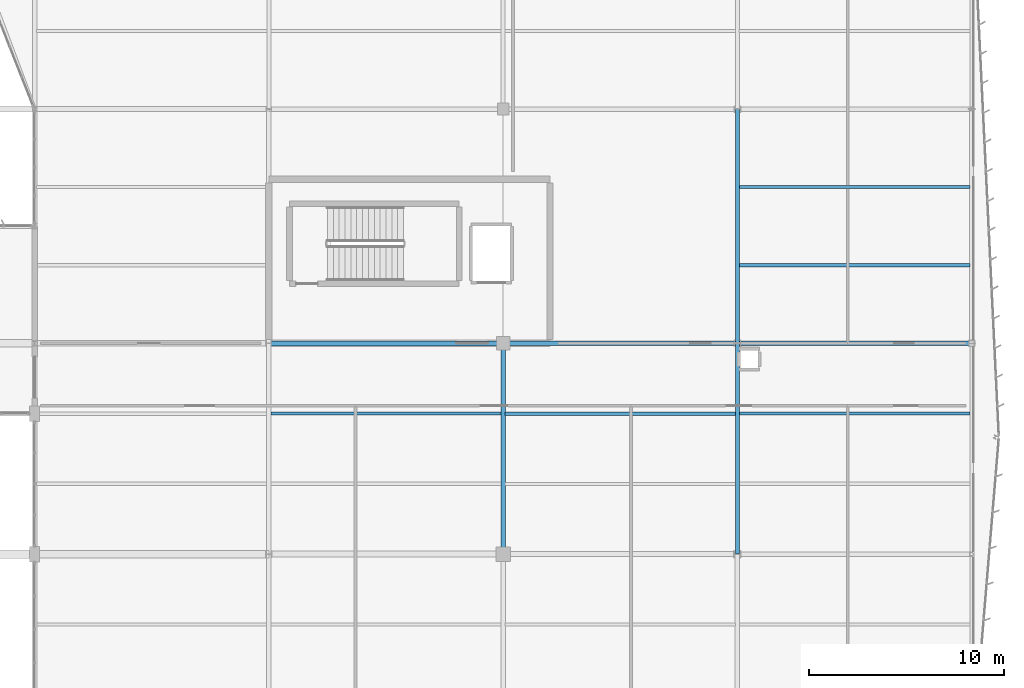
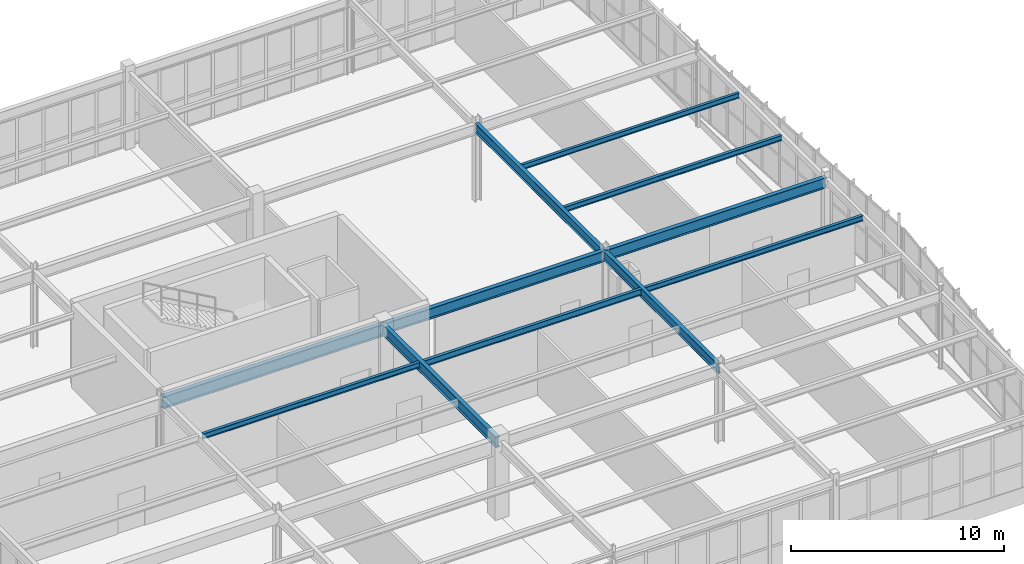
# One storey, part 91 of 186: 11 beams.
"""IFC4 building model written with IfcOpenShell, lengths in metres."""

from ifc_helpers import new_model, si_unit, direction, frame, origin, origin_2d, place, context, subcontext, project, spatial, i_section, extrude, material, material_profile, profile_set, type_object, element, save


model = new_model("IFC4")

# Units and contexts
model_context = context("Model", 3, precision=1e-05, world=origin(), true_north=direction((0.0, 1.0)))
body_context = subcontext(model_context, "Body", "Model", "MODEL_VIEW")
ifc_project = project(units=[si_unit("LENGTHUNIT", "METRE"), si_unit("AREAUNIT", "SQUARE_METRE"), si_unit("VOLUMEUNIT", "CUBIC_METRE"), si_unit("PLANEANGLEUNIT", "RADIAN"), si_unit("MASSUNIT", "GRAM", prefix="KILO")], contexts=[model_context])

# Site, building, storey
site_placement = place(None, origin())
site = spatial("IfcSite", under=ifc_project, at=site_placement, CompositionType="ELEMENT")
building_placement = place(site_placement, origin())
building = spatial("IfcBuilding", under=site, at=building_placement, Name="Tarnwether General Hospital", CompositionType="ELEMENT")
storey_placement = place(building_placement, frame((0.0, 0.0, 9.60009765625)))
storey = spatial("IfcBuildingStorey", under=building, at=storey_placement, Name="L02", CompositionType="ELEMENT", Elevation=9.60009765625)

# Beams
ifc_material_1 = material(Name="Steel Grade 350 (350 MPa)", Category="steel")
ifc_material_profile_1 = material_profile(ifc_material_1, i_section(OverallWidth=0.25, OverallDepth=0.69189453125, WebThickness=0.009033203125, FlangeThickness=0.01611328125, at=origin_2d()), Name="700WB115")
ifc_profile_set_1 = profile_set([ifc_material_profile_1], Name="Steel Grade 350 (350 MPa)")
beam_type_1 = type_object("IfcBeamType", Name="BM-G02", PredefinedType="BEAM", material=ifc_profile_set_1)
beam_1_placement = place(storey_placement, frame((156.0, 21.60009765625, 4.098876953125), z_axis=(1.0, 0.0, 0.0), x_axis=(0.0, 1.0, 0.0)))
element("IfcBeam", 1, at=beam_1_placement, inside=storey, type_object=beam_type_1, Name="Primary Girder BMG-L02-15600_2160-16800_2160-1592", PredefinedType="BEAM", context=body_context, shape_type="SweptSolid", body=[
    extrude(i_section(OverallWidth=0.25, OverallDepth=0.69189453125, WebThickness=0.009033203125, FlangeThickness=0.01611328125, at=origin_2d()), origin(), (0.0, 0.0, 1.0), 12.0),
])
ifc_material_2 = material(Name="Steel Grade 350 (350 MPa)", Category="steel")
ifc_material_profile_2 = material_profile(ifc_material_2, i_section(OverallWidth=0.22900390625, OverallDepth=0.612060546875, WebThickness=0.011962890625, FlangeThickness=0.01953125, at=origin_2d()), Name="610UB125")
ifc_profile_set_2 = profile_set([ifc_material_profile_2], Name="Steel Grade 350 (350 MPa)")
beam_type_2 = type_object("IfcBeamType", Name="BM-G03", PredefinedType="BEAM", material=ifc_profile_set_2)
beam_2_placement = place(storey_placement, frame((168.0, 21.60009765625, 4.1337890625), z_axis=(1.0, 0.0, 0.0), x_axis=(0.0, 1.0, 0.0)))
element("IfcBeam", 2, at=beam_2_placement, inside=storey, type_object=beam_type_2, Name="Primary Girder BMG-L02-16800_2160-18000_2160-1610", PredefinedType="BEAM", context=body_context, shape_type="SweptSolid", body=[
    extrude(i_section(OverallWidth=0.22900390625, OverallDepth=0.612060546875, WebThickness=0.011962890625, FlangeThickness=0.01953125, at=origin_2d()), origin(), (0.0, 0.0, 1.0), 12.0),
])
ifc_material_3 = material(Name="Steel Grade 350 (350 MPa)", Category="steel")
ifc_material_profile_3 = material_profile(ifc_material_3, i_section(OverallWidth=0.22802734375, OverallDepth=0.60693359375, WebThickness=0.01123046875, FlangeThickness=0.017333984375, at=origin_2d()), Name="610UB113")
ifc_profile_set_3 = profile_set([ifc_material_profile_3], Name="Steel Grade 350 (350 MPa)")
beam_type_3 = type_object("IfcBeamType", Name="BM-G04", PredefinedType="BEAM", material=ifc_profile_set_3)
beam_3_placement = place(storey_placement, frame((180.0, 21.60009765625, 4.136474609375), z_axis=(1.0, 0.0, 0.0), x_axis=(0.0, 1.0, 0.0)))
element("IfcBeam", 3, at=beam_3_placement, inside=storey, type_object=beam_type_3, Name="Primary Girder BMG-L02-18000_2160-19200_2160-1626", PredefinedType="BEAM", context=body_context, shape_type="SweptSolid", body=[
    extrude(i_section(OverallWidth=0.22802734375, OverallDepth=0.60693359375, WebThickness=0.01123046875, FlangeThickness=0.017333984375, at=origin_2d()), origin(), (0.0, 0.0, 1.0), 12.0),
])
ifc_material_4 = material(Name="Steel Grade 350 (350 MPa)", Category="steel")
ifc_material_profile_4 = material_profile(ifc_material_4, i_section(OverallWidth=0.22802734375, OverallDepth=0.60205078125, WebThickness=0.010498046875, FlangeThickness=0.014892578125, at=origin_2d()), Name="610UB101")
ifc_profile_set_4 = profile_set([ifc_material_profile_4], Name="Steel Grade 350 (350 MPa)")
beam_type_4 = type_object("IfcBeamType", Name="BM-G05", PredefinedType="BEAM", material=ifc_profile_set_4)
beam_4_placement = place(storey_placement, frame((168.0, 10.800048828125, 4.143798828125), z_axis=(0.0, 1.0, 0.0), x_axis=(-1.0, 0.0, 0.0)))
element("IfcBeam", 4, at=beam_4_placement, inside=storey, type_object=beam_type_4, Name="Primary Girder BMG-L02-16800_1080-16800_2160-1609", PredefinedType="BEAM", context=body_context, shape_type="SweptSolid", body=[
    extrude(i_section(OverallWidth=0.22802734375, OverallDepth=0.60205078125, WebThickness=0.010498046875, FlangeThickness=0.014892578125, at=origin_2d()), origin(), (0.0, 0.0, 1.0), 10.800048828125),
])
ifc_material_5 = material(Name="Steel Grade 350 (350 MPa)", Category="steel")
ifc_material_profile_5 = material_profile(ifc_material_5, i_section(OverallWidth=0.208984375, OverallDepth=0.532958984375, WebThickness=0.01025390625, FlangeThickness=0.015625, at=origin_2d()), Name="530UB92.4")
ifc_profile_set_5 = profile_set([ifc_material_profile_5], Name="Steel Grade 350 (350 MPa)")
beam_type_5 = type_object("IfcBeamType", Name="BM-G06", PredefinedType="BEAM", material=ifc_profile_set_5)
beam_5_placement = place(storey_placement, frame((180.0, 10.800048828125, 4.17333984375), z_axis=(0.0, 1.0, 0.0), x_axis=(-1.0, 0.0, 0.0)))
element("IfcBeam", 5, at=beam_5_placement, inside=storey, type_object=beam_type_5, Name="Primary Girder BMG-L02-18000_1080-18000_2160-1625", PredefinedType="BEAM", context=body_context, shape_type="SweptSolid", body=[
    extrude(i_section(OverallWidth=0.208984375, OverallDepth=0.532958984375, WebThickness=0.01025390625, FlangeThickness=0.015625, at=origin_2d()), origin(), (0.0, 0.0, 1.0), 10.800048828125),
])
ifc_material_6 = material(Name="Steel Grade 350 (350 MPa)", Category="steel")
ifc_material_profile_6 = material_profile(ifc_material_6, i_section(OverallWidth=0.208984375, OverallDepth=0.528076171875, WebThickness=0.009521484375, FlangeThickness=0.01318359375, at=origin_2d()), Name="530UB82.0")
ifc_profile_set_6 = profile_set([ifc_material_profile_6], Name="Steel Grade 350 (350 MPa)")
beam_type_6 = type_object("IfcBeamType", Name="BM-G07", PredefinedType="BEAM", material=ifc_profile_set_6)
beam_6_placement = place(storey_placement, frame((180.0, 21.60009765625, 4.17578125), z_axis=(0.0, 1.0, 0.0), x_axis=(-1.0, 0.0, 0.0)))
element("IfcBeam", 6, at=beam_6_placement, inside=storey, type_object=beam_type_6, Name="Primary Girder BMG-L02-18000_2160-18000_3360-1627", PredefinedType="BEAM", context=body_context, shape_type="SweptSolid", body=[
    extrude(i_section(OverallWidth=0.208984375, OverallDepth=0.528076171875, WebThickness=0.009521484375, FlangeThickness=0.01318359375, at=origin_2d()), origin(), (0.0, 0.0, 1.0), 12.0),
])
ifc_material_7 = material(Name="Steel Grade 350 (350 MPa)", Category="steel")
ifc_material_profile_7 = material_profile(ifc_material_7, i_section(OverallWidth=0.166015625, OverallDepth=0.306884765625, WebThickness=0.006591796875, FlangeThickness=0.01171875, at=origin_2d()), Name="310UB46.2")
ifc_profile_set_7 = profile_set([ifc_material_profile_7], Name="Steel Grade 350 (350 MPa)")
beam_type_7 = type_object("IfcBeamType", Name="BM-J05", PredefinedType="JOIST", material=ifc_profile_set_7)
beam_7_placement = place(storey_placement, frame((156.10791015625, 18.0, 4.29150390625), z_axis=(1.0, 0.0, 0.0), x_axis=(0.0, 1.0, 0.0)))
element("IfcBeam", 7, at=beam_7_placement, inside=storey, type_object=beam_type_7, Name="Composite Floor Joist BMG-L02-15611_1800-16789_1800-1723", PredefinedType="JOIST", context=body_context, shape_type="SweptSolid", body=[
    extrude(i_section(OverallWidth=0.166015625, OverallDepth=0.306884765625, WebThickness=0.006591796875, FlangeThickness=0.01171875, at=origin_2d()), origin(), (0.0, 0.0, 1.0), 11.7841796875),
])
ifc_material_8 = material(Name="Steel Grade 350 (350 MPa)", Category="steel")
ifc_material_profile_8 = material_profile(ifc_material_8, i_section(OverallWidth=0.1708984375, OverallDepth=0.35205078125, WebThickness=0.0068359375, FlangeThickness=0.009765625, at=origin_2d()), Name="360UB44.7")
ifc_profile_set_8 = profile_set([ifc_material_profile_8], Name="Steel Grade 350 (350 MPa)")
beam_type_8 = type_object("IfcBeamType", Name="BM-J06", PredefinedType="JOIST", material=ifc_profile_set_8)
beam_8_placement = place(storey_placement, frame((168.10791015625, 18.0, 4.263916015625), z_axis=(1.0, 0.0, 0.0), x_axis=(0.0, 1.0, 0.0)))
element("IfcBeam", 8, at=beam_8_placement, inside=storey, type_object=beam_type_8, Name="Composite Floor Joist BMG-L02-16811_1800-17990_1800-1733", PredefinedType="JOIST", context=body_context, shape_type="SweptSolid", body=[
    extrude(i_section(OverallWidth=0.1708984375, OverallDepth=0.35205078125, WebThickness=0.0068359375, FlangeThickness=0.009765625, at=origin_2d()), origin(), (0.0, 0.0, 1.0), 11.79296875),
])
ifc_material_9 = material(Name="Steel Grade 350 (350 MPa)", Category="steel")
ifc_material_profile_9 = material_profile(ifc_material_9, i_section(OverallWidth=0.1650390625, OverallDepth=0.303955078125, WebThickness=0.006103515625, FlangeThickness=0.01025390625, at=origin_2d()), Name="310UB40.4")
ifc_profile_set_9 = profile_set([ifc_material_profile_9], Name="Steel Grade 350 (350 MPa)")
beam_type_9 = type_object("IfcBeamType", Name="BM-J07", PredefinedType="JOIST", material=ifc_profile_set_9)
beam_9_placement = place(storey_placement, frame((180.09912109375, 18.0, 4.287841796875), z_axis=(1.0, 0.0, 0.0), x_axis=(0.0, 1.0, 0.0)))
element("IfcBeam", 9, at=beam_9_placement, inside=storey, type_object=beam_type_9, Name="Composite Floor Joist BMG-L02-18010_1800-19192_1800-1743", PredefinedType="JOIST", context=body_context, shape_type="SweptSolid", body=[
    extrude(i_section(OverallWidth=0.1650390625, OverallDepth=0.303955078125, WebThickness=0.006103515625, FlangeThickness=0.01025390625, at=origin_2d()), origin(), (0.0, 0.0, 1.0), 11.81787109375),
])
beam_10_placement = place(storey_placement, frame((180.09912109375, 25.60009765625, 4.287841796875), z_axis=(1.0, 0.0, 0.0), x_axis=(0.0, 1.0, 0.0)))
element("IfcBeam", 10, at=beam_10_placement, inside=storey, type_object=beam_type_9, Name="Composite Floor Joist BMG-L02-18010_2560-19191_2560-1744", PredefinedType="JOIST", context=body_context, shape_type="SweptSolid", body=[
    extrude(i_section(OverallWidth=0.1650390625, OverallDepth=0.303955078125, WebThickness=0.006103515625, FlangeThickness=0.01025390625, at=origin_2d()), origin(), (0.0, 0.0, 1.0), 11.806884765625),
])
ifc_material_10 = material(Name="Steel Grade 350 (350 MPa)", Category="steel")
ifc_material_profile_10 = material_profile(ifc_material_10, i_section(OverallWidth=0.14892578125, OverallDepth=0.298095703125, WebThickness=0.005615234375, FlangeThickness=0.008056640625, at=origin_2d()), Name="310UB32.0")
ifc_profile_set_10 = profile_set([ifc_material_profile_10], Name="Steel Grade 350 (350 MPa)")
beam_type_10 = type_object("IfcBeamType", Name="BM-J08", PredefinedType="JOIST", material=ifc_profile_set_10)
beam_11_placement = place(storey_placement, frame((180.09912109375, 29.60009765625, 4.291015625), z_axis=(1.0, 0.0, 0.0), x_axis=(0.0, 1.0, 0.0)))
element("IfcBeam", 11, at=beam_11_placement, inside=storey, type_object=beam_type_10, Name="Composite Floor Joist BMG-L02-18010_2960-19191_2960-1745", PredefinedType="JOIST", context=body_context, shape_type="SweptSolid", body=[
    extrude(i_section(OverallWidth=0.14892578125, OverallDepth=0.298095703125, WebThickness=0.005615234375, FlangeThickness=0.008056640625, at=origin_2d()), origin(), (0.0, 0.0, 1.0), 11.806884765625),
])

save(model, "model.ifc")
